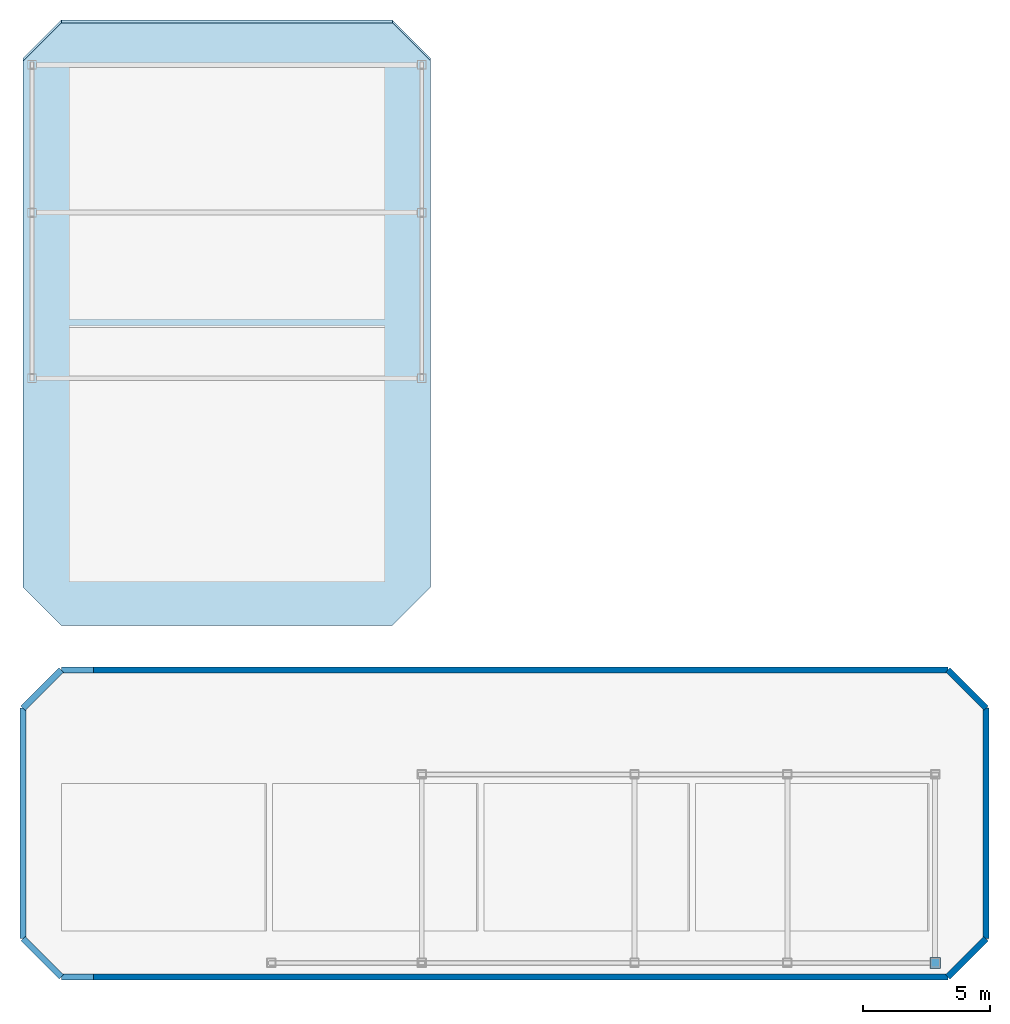
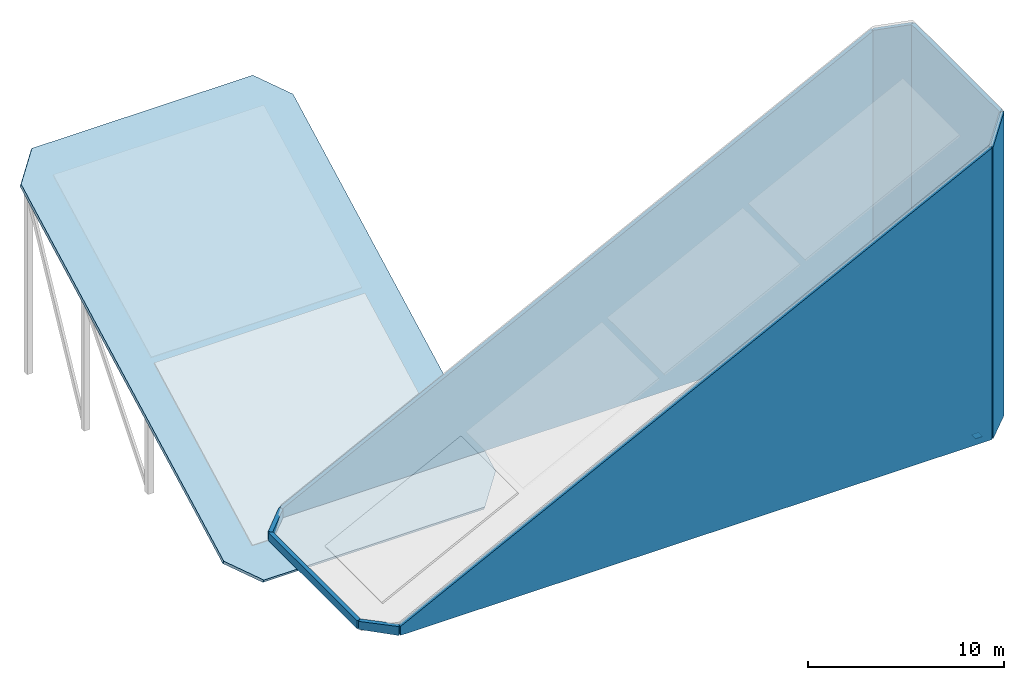
# One storey, part 2 of 3: 8 walls, 1 discrete accessory, 1 slab.
"""IFC4 building model written with IfcOpenShell, lengths in metres."""

import ifcopenshell
import ifcopenshell.guid

model = None  # the IFC model being written
_history = None  # IfcOwnerHistory: only IFC2X3 demands one
_inside = {}  # id of a spatial element -> (the spatial element, [elements in it])
_under = {}  # id of a project, library or spatial element -> (it, [spatial elements below it])
_declared = {}  # id of a project -> (the project, [libraries it declares])
_typed = {}  # id of a type object -> (the type object, [elements of that type])
_made_of = {}  # id of a material, layer set ... -> (it, [elements and type objects made of it])


def new_model(schema):
    """Start an empty IFC model of exactly this schema.

    Asked for "IFC4X3", IfcOpenShell would pick the latest addendum, in which some entities
    have other attributes; the version numbers below select the first issue.
    IFC2X3 requires an IfcOwnerHistory on every rooted entity: one is made here for all.
    """
    global model, _history
    if schema == "IFC4X3":
        model = ifcopenshell.file(schema_version=(4, 3, 0, 0))
    else:
        model = ifcopenshell.file(schema=schema)
    _inside.clear()
    _under.clear()
    _declared.clear()
    _typed.clear()
    _made_of.clear()
    _history = None
    if model.schema == "IFC2X3":
        org = make("IfcOrganization", Name="unknown")
        user = make(
            "IfcPersonAndOrganization",
            ThePerson=make("IfcPerson", FamilyName="unknown"),
            TheOrganization=org,
        )
        app = make(
            "IfcApplication",
            ApplicationDeveloper=org,
            Version="unknown",
            ApplicationFullName="unknown",
            ApplicationIdentifier="unknown",
        )
        _history = make(
            "IfcOwnerHistory",
            OwningUser=user,
            OwningApplication=app,
            ChangeAction="ADDED",
            CreationDate=0,
        )
    return model


def make(cls, **values):
    """One entity of the class cls with the attributes given. An attribute that is None is left unset."""
    return model.create_entity(
        cls, **{name: value for name, value in values.items() if value is not None}
    )


def rooted(cls, **values):
    """An entity with a GlobalId (a new one), such as an element, a storey or a relation."""
    return make(cls, GlobalId=ifcopenshell.guid.new(), OwnerHistory=_history, **values)


def si_unit(unit_type, name, prefix=None):
    """IfcSIUnit, for example si_unit("LENGTHUNIT", "METRE", prefix="MILLI")."""
    return make("IfcSIUnit", UnitType=unit_type, Prefix=prefix, Name=name)


def assignment(units):
    """IfcUnitAssignment: the units of a project."""
    return None if units is None else make("IfcUnitAssignment", Units=units)


def point(xyz):
    """IfcCartesianPoint."""
    return None if xyz is None else make("IfcCartesianPoint", Coordinates=xyz)


def direction(xyz):
    """IfcDirection."""
    return None if xyz is None else make("IfcDirection", DirectionRatios=xyz)


def frame(location, z_axis=None, x_axis=None):
    """IfcAxis2Placement3D, a coordinate frame: its origin and axes. An axis left out is left unset."""
    return make(
        "IfcAxis2Placement3D",
        Location=point(location),
        Axis=direction(z_axis),
        RefDirection=direction(x_axis),
    )


def frame_2d(location, x_axis=None):
    """IfcAxis2Placement2D, a coordinate frame in the plane: its origin and x axis."""
    return make(
        "IfcAxis2Placement2D", Location=point(location), RefDirection=direction(x_axis)
    )


def origin():
    """The frame at (0, 0, 0) with its axes left unset."""
    return frame((0.0, 0.0, 0.0))


def origin_2d():
    """The frame at (0, 0) in the plane with its x axis left unset."""
    return frame_2d((0.0, 0.0))


def place(relative_to, where):
    """IfcLocalPlacement: puts the frame where relative to a parent placement (None: the world)."""
    return make(
        "IfcLocalPlacement", PlacementRelTo=relative_to, RelativePlacement=where
    )


def context(
    kind, dimensions, precision=None, world=None, true_north=None, identifier=None
):
    """IfcGeometricRepresentationContext, for example the 3D "Model" context."""
    return make(
        "IfcGeometricRepresentationContext",
        ContextIdentifier=identifier,
        ContextType=kind,
        CoordinateSpaceDimension=dimensions,
        Precision=precision,
        WorldCoordinateSystem=world,
        TrueNorth=true_north,
    )


def subcontext(parent, identifier, kind, view, scale=None):
    """IfcGeometricRepresentationSubContext, for example "Body" below "Model"."""
    return make(
        "IfcGeometricRepresentationSubContext",
        ContextIdentifier=identifier,
        ContextType=kind,
        ParentContext=parent,
        TargetScale=scale,
        TargetView=view,
    )


def project(units=None, contexts=None):
    """IfcProject with its units and contexts."""
    return rooted(
        "IfcProject",
        Name="project",
        RepresentationContexts=contexts,
        UnitsInContext=assignment(units),
    )


def spatial(cls, under=None, at=None, **own):
    """A site, building, storey or space (cls), placed at a placement, below another one or the project."""
    s = rooted(cls, ObjectPlacement=at, **own)
    if under is not None:
        _under.setdefault(under.id(), (under, []))[1].append(s)
    return s


def polyline(points):
    """IfcPolyline through the points."""
    return make("IfcPolyline", Points=[point(p) for p in points])


def profile(cls, at=None, kind="AREA", **sizes):
    """A parametric profile (cls). Its sizes go by their IFC names, for example OverallWidth=200.0."""
    return make(cls, ProfileType=kind, Position=at, **sizes)


def rectangle(**sizes):
    """IfcRectangleProfileDef."""
    return profile("IfcRectangleProfileDef", **sizes)


def outline(outer, holes=None, kind="AREA"):
    """IfcArbitraryClosedProfileDef: a profile drawn as a closed curve; with holes, ...WithVoids."""
    if holes is None:
        return make("IfcArbitraryClosedProfileDef", ProfileType=kind, OuterCurve=outer)
    return make(
        "IfcArbitraryProfileDefWithVoids",
        ProfileType=kind,
        OuterCurve=outer,
        InnerCurves=holes,
    )


def extrude(swept, where, along, depth):
    """IfcExtrudedAreaSolid: the profile swept, set in the frame where, extruded along a direction by depth."""
    return make(
        "IfcExtrudedAreaSolid",
        SweptArea=swept,
        Position=where,
        ExtrudedDirection=direction(along),
        Depth=depth,
    )


def shape(context_of_items, identifier, shape_type, items):
    """IfcShapeRepresentation: the items that make up one representation, for example the "Body"."""
    return make(
        "IfcShapeRepresentation",
        ContextOfItems=context_of_items,
        RepresentationIdentifier=identifier,
        RepresentationType=shape_type,
        Items=items,
    )


def material(Name=None, Category=None):
    """IfcMaterial."""
    return make("IfcMaterial", Name=Name, Category=Category)


def layer(
    of_material, thickness, ventilated=None, Name=None, Category=None, Priority=None
):
    """IfcMaterialLayer: one layer of a wall or slab, of a material (None: an air gap)."""
    return make(
        "IfcMaterialLayer",
        Material=of_material,
        LayerThickness=thickness,
        IsVentilated=ventilated,
        Name=Name,
        Category=Category,
        Priority=Priority,
    )


def layer_set(layers, Name=None):
    """IfcMaterialLayerSet."""
    return make("IfcMaterialLayerSet", MaterialLayers=layers, LayerSetName=Name)


def made_of(thing, what):
    """Note that an element or type object is made of a material, layer set ...; save() writes the relation."""
    if what is not None:
        _made_of.setdefault(what.id(), (what, []))[1].append(thing)
    return thing


def type_object(cls, material=None, **own):
    """A type object (cls), such as IfcWallType, which elements share."""
    return made_of(rooted(cls, **own), material)


def element(
    cls,
    number,
    at=None,
    inside=None,
    cuts=None,
    type_object=None,
    material=None,
    context=None,
    identifier="Body",
    shape_type=None,
    held_by="IfcProductDefinitionShape",
    body=None,
    shapes=None,
    **own,
):
    """One element of the class cls, such as IfcWall. Its Tag is "e" and its number.

    at: its placement. inside: the storey or other place that contains it. cuts: it is an
    opening in that element (IfcRelVoidsElement). A single representation is given by context,
    identifier, shape_type and body (its items); several are given by shapes. held_by: the class
    of the entity that holds the representations. save() writes the other relations.
    """
    e = rooted(cls, Tag="e%d" % number, ObjectPlacement=at, **own)
    if body is not None:
        shapes = [shape(context, identifier, shape_type, body)]
    if shapes is not None:
        e.Representation = make(held_by, Representations=shapes)
    if inside is not None:
        _inside.setdefault(inside.id(), (inside, []))[1].append(e)
    if cuts is not None:
        rooted(
            "IfcRelVoidsElement", RelatingBuildingElement=cuts, RelatedOpeningElement=e
        )
    if type_object is not None:
        _typed.setdefault(type_object.id(), (type_object, []))[1].append(e)
    return made_of(e, material)


def aggregate(whole, parts):
    """IfcRelAggregates: a whole, such as a stair, and the parts it consists of."""
    return rooted("IfcRelAggregates", RelatingObject=whole, RelatedObjects=parts)


def save(model, path):
    """Write the relations noted so far, then the file.

    IfcRelAggregates (storeys below a building ...), IfcRelContainedInSpatialStructure (elements
    in a storey), IfcRelDefinesByType, IfcRelAssociatesMaterial and IfcRelDeclares: one each for
    every whole, place, type object, material and project.
    """
    for whole, parts in _under.values():
        aggregate(whole, parts)
    for where, things in _inside.values():
        rooted(
            "IfcRelContainedInSpatialStructure",
            RelatedElements=things,
            RelatingStructure=where,
        )
    for kind, things in _typed.values():
        rooted("IfcRelDefinesByType", RelatedObjects=things, RelatingType=kind)
    for what, things in _made_of.values():
        rooted("IfcRelAssociatesMaterial", RelatedObjects=things, RelatingMaterial=what)
    for by, libraries in _declared.values():
        rooted("IfcRelDeclares", RelatingContext=by, RelatedDefinitions=libraries)
    model.write(path)


model = new_model("IFC4")

# Units and contexts
model_context = context("Model", 3, precision=1e-05, world=origin(), true_north=direction((0.0, 1.0)))
body_context = subcontext(model_context, "Body", "Model", "MODEL_VIEW")
ifc_project = project(units=[si_unit("LENGTHUNIT", "METRE"), si_unit("AREAUNIT", "SQUARE_METRE"), si_unit("VOLUMEUNIT", "CUBIC_METRE"), si_unit("PLANEANGLEUNIT", "RADIAN"), si_unit("MASSUNIT", "GRAM", prefix="KILO")], contexts=[model_context])

# Site, building, storey
site_placement = place(None, origin())
site = spatial("IfcSite", under=ifc_project, at=site_placement, CompositionType="ELEMENT")
building_placement = place(site_placement, origin())
building = spatial("IfcBuilding", under=site, at=building_placement, Name="Mawjaban Terraces University", CompositionType="ELEMENT")
storey_placement = place(building_placement, frame((0.0, 0.0, 326.699951171875)))
storey = spatial("IfcBuildingStorey", under=building, at=storey_placement, Name="ROOF", CompositionType="ELEMENT", Elevation=326.699951171875)

# Slab
ifc_material_1 = material(Name="Concrete C40/50", Category="concrete")
ifc_layer_1 = layer(ifc_material_1, 0.239990234375)
ifc_layer_set_1 = layer_set([ifc_layer_1], Name="Concrete C40/50")
slab_type = type_object("IfcSlabType", Name="CrownSlopedRoof_240_Ext", PredefinedType="ROOF", material=ifc_layer_set_1)
slab_placement = place(storey_placement, frame((23.5, 13.800048828125, -5.0), z_axis=(0.0, -0.46772846546, 0.883872209427), x_axis=(1.0, 0.0, 0.0)))
element("IfcSlab", 1, at=slab_placement, inside=storey, type_object=slab_type, Name="North Peak Sloped Crest Roof Slab", PredefinedType="ROOF", context=body_context, shape_type="SweptSolid", body=[
    extrude(outline(polyline([(0.0, 0.0), (13.0, 0.0), (14.5, 1.697159136816191), (14.5, 25.059903801464333), (13.0, 26.757177129800414), (0.0, 26.757177129800414), (-1.5, 25.059903801464333), (-1.5, 1.697159136816191), (0.0, 0.0)])), origin(), (0.0, 0.0, -1.0), 0.239990234375),
])

# Walls
ifc_material_2 = material(Name="Insulated terracotta spandrel wall", Category="masonry")
ifc_layer_2 = layer(ifc_material_2, 0.239990234375)
ifc_layer_set_2 = layer_set([ifc_layer_2], Name="Insulated terracotta spandrel wall")
wall_type = type_object("IfcWallType", Name="ExtSpandrelWall_240", PredefinedType="SOLIDWALL", material=ifc_layer_set_2)
wall_1_placement = place(storey_placement, frame((23.5, 0.0, 0.0), z_axis=(0.0, 0.0, 1.0), x_axis=(1.0, 0.0, 0.0)))
element("IfcWall", 2, at=wall_1_placement, inside=storey, type_object=wall_type, Name="East Crown Enclosed Terracotta Screen Wall 1", PredefinedType="SOLIDWALL", context=body_context, shape_type="SweptSolid", body=[
    extrude(outline(polyline([(0.0, 0.0), (34.800048828125, 0.0), (34.800048828125, 18.14208984375), (0.0, 0.55810546875), (0.0, 0.0)])), frame((0.0, 0.1201171875, 0.0), z_axis=(0.0, -1.0, 0.0), x_axis=(1.0, 0.0, 0.0)), (0.0, 0.0, 1.0), 0.239990234375),
])
wall_2_placement = place(storey_placement, frame((58.300048828125, 0.0, 0.0), z_axis=(0.0, 0.0, 1.0), x_axis=(0.707106781187, 0.707106781187, 0.0)))
element("IfcWall", 3, at=wall_2_placement, inside=storey, type_object=wall_type, Name="East Crown Enclosed Terracotta Screen Wall 2", PredefinedType="SOLIDWALL", context=body_context, shape_type="SweptSolid", body=[
    extrude(outline(polyline([(0.0, 0.0), (2.121337890625, 0.0), (2.12109375, 18.900146484375), (0.0, 18.14208984375), (0.0, 0.0)])), frame((0.0, 0.1201171875, 0.0), z_axis=(0.0, -1.0, 0.0), x_axis=(1.0, 0.0, 0.0)), (0.0, 0.0, 1.0), 0.239990234375),
])
wall_3_placement = place(storey_placement, frame((59.800048828125, 1.5, 0.0), z_axis=(0.0, 0.0, 1.0), x_axis=(0.0, 1.0, 0.0)))
element("IfcWall", 4, at=wall_3_placement, inside=storey, type_object=wall_type, Name="East Crown Enclosed Terracotta Screen Wall 3", PredefinedType="SOLIDWALL", context=body_context, shape_type="SweptSolid", body=[
    extrude(outline(polyline([(0.0, 0.0), (9.050048828125, 0.0), (9.050048828125, 18.900146484375), (0.0, 18.900146484375), (0.0, 0.0)])), frame((0.0, 0.1201171875, 0.0), z_axis=(0.0, -1.0, 0.0), x_axis=(1.0, 0.0, 0.0)), (0.0, 0.0, 1.0), 0.239990234375),
])
wall_4_placement = place(storey_placement, frame((59.800048828125, 10.550048828125, 0.0), z_axis=(0.0, 0.0, 1.0), x_axis=(-0.707106781187, 0.707106781187, 0.0)))
element("IfcWall", 5, at=wall_4_placement, inside=storey, type_object=wall_type, Name="East Crown Enclosed Terracotta Screen Wall 4", PredefinedType="SOLIDWALL", context=body_context, shape_type="SweptSolid", body=[
    extrude(outline(polyline([(0.0, 0.0), (2.121337890625, 0.0), (2.12109375, 18.14208984375), (0.0, 18.900146484375), (0.0, 0.0)])), frame((0.0, 0.1201171875, 0.0), z_axis=(0.0, -1.0, 0.0), x_axis=(1.0, 0.0, 0.0)), (0.0, 0.0, 1.0), 0.239990234375),
])
wall_5_placement = place(storey_placement, frame((58.300048828125, 12.050048828125, 0.0), z_axis=(0.0, 0.0, 1.0), x_axis=(-1.0, 0.0, 0.0)))
element("IfcWall", 6, at=wall_5_placement, inside=storey, type_object=wall_type, Name="East Crown Enclosed Terracotta Screen Wall 5", PredefinedType="SOLIDWALL", context=body_context, shape_type="SweptSolid", body=[
    extrude(outline(polyline([(0.0, 0.0), (34.800048828125, 0.0), (34.800048828125, 0.55810546875), (0.0, 18.14208984375), (0.0, 0.0)])), frame((0.0, 0.1201171875, 0.0), z_axis=(0.0, -1.0, 0.0), x_axis=(1.0, 0.0, 0.0)), (0.0, 0.0, 1.0), 0.239990234375),
])
wall_6_placement = place(storey_placement, frame((23.5, 12.050048828125, 0.0), z_axis=(0.0, 0.0, 1.0), x_axis=(-0.707106781187, -0.707106781187, 0.0)))
element("IfcWall", 7, at=wall_6_placement, inside=storey, type_object=wall_type, Name="East Crown Enclosed Terracotta Screen Wall 6", PredefinedType="SOLIDWALL", context=body_context, shape_type="SweptSolid", body=[
    extrude(outline(polyline([(0.0, 0.0), (2.121337890625, 0.0), (2.12109375, 0.5), (0.0, 0.55810546875), (0.0, 0.0)])), frame((0.0, 0.1201171875, 0.0), z_axis=(0.0, -1.0, 0.0), x_axis=(1.0, 0.0, 0.0)), (0.0, 0.0, 1.0), 0.239990234375),
])
wall_7_placement = place(storey_placement, frame((22.0, 10.550048828125, 0.0), z_axis=(0.0, 0.0, 1.0), x_axis=(0.0, -1.0, 0.0)))
element("IfcWall", 8, at=wall_7_placement, inside=storey, type_object=wall_type, Name="East Crown Enclosed Terracotta Screen Wall 7", PredefinedType="SOLIDWALL", context=body_context, shape_type="SweptSolid", body=[
    extrude(outline(polyline([(0.0, 0.0), (9.050048828125, 0.0), (9.050048828125, 0.5), (0.0, 0.5), (0.0, 0.0)])), frame((0.0, 0.1201171875, 0.0), z_axis=(0.0, -1.0, 0.0), x_axis=(1.0, 0.0, 0.0)), (0.0, 0.0, 1.0), 0.239990234375),
])
wall_8_placement = place(storey_placement, frame((22.0, 1.5, 0.0), z_axis=(0.0, 0.0, 1.0), x_axis=(0.707106781187, -0.707106781187, 0.0)))
element("IfcWall", 9, at=wall_8_placement, inside=storey, type_object=wall_type, Name="East Crown Enclosed Terracotta Screen Wall 8", PredefinedType="SOLIDWALL", context=body_context, shape_type="SweptSolid", body=[
    extrude(outline(polyline([(0.0, 0.0), (2.121337890625, 0.0), (2.12109375, 0.55810546875), (0.0, 0.5), (0.0, 0.0)])), frame((0.0, 0.1201171875, 0.0), z_axis=(0.0, -1.0, 0.0), x_axis=(1.0, 0.0, 0.0)), (0.0, 0.0, 1.0), 0.239990234375),
])

# Discrete accessory
ifc_material_3 = material(Name="Steel ASTM A572 Grade 50", Category="steel")
ifc_layer_3 = layer(ifc_material_3, 0.0400390625)
ifc_layer_set_3 = layer_set([ifc_layer_3], Name="Steel ASTM A572 Grade 50")
discrete_accessory_type = type_object("IfcDiscreteAccessoryType", Name="HollowSectionEndCap_40", PredefinedType="BRACKET", material=ifc_layer_set_3)
discrete_accessory_placement = place(storey_placement, frame((57.800048828125, 0.550048828125, -0.02001953125), z_axis=(0.0, 0.0, 1.0), x_axis=(1.0, 0.0, 0.0)))
element("IfcDiscreteAccessory", 10, at=discrete_accessory_placement, inside=storey, type_object=discrete_accessory_type, Name="ROOF Hollow Section End Cap Plate CAP-ROOF-EP-578", PredefinedType="BRACKET", context=body_context, shape_type="SweptSolid", body=[
    extrude(rectangle(XDim=0.419921875, YDim=0.419921875, at=origin_2d()), origin(), (0.0, 0.0, 1.0), 0.0400390625),
])

save(model, "model.ifc")
